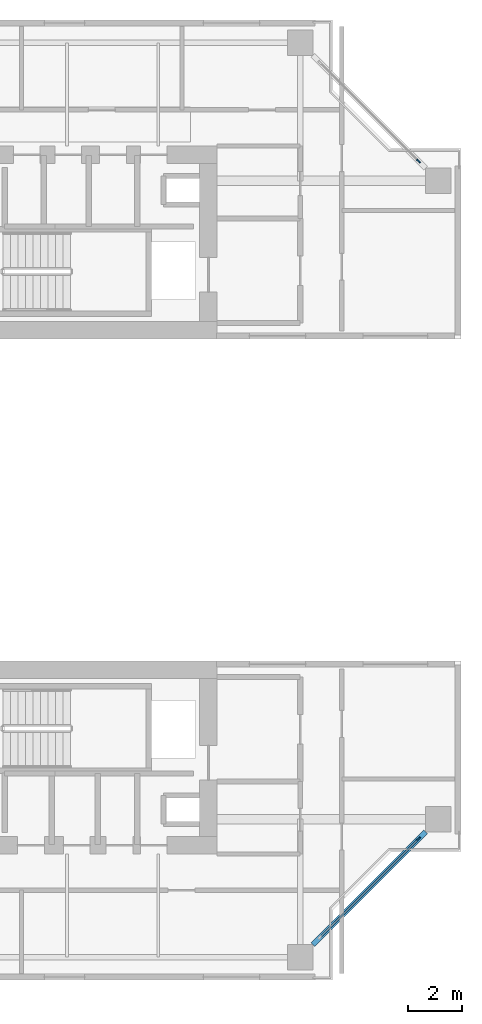
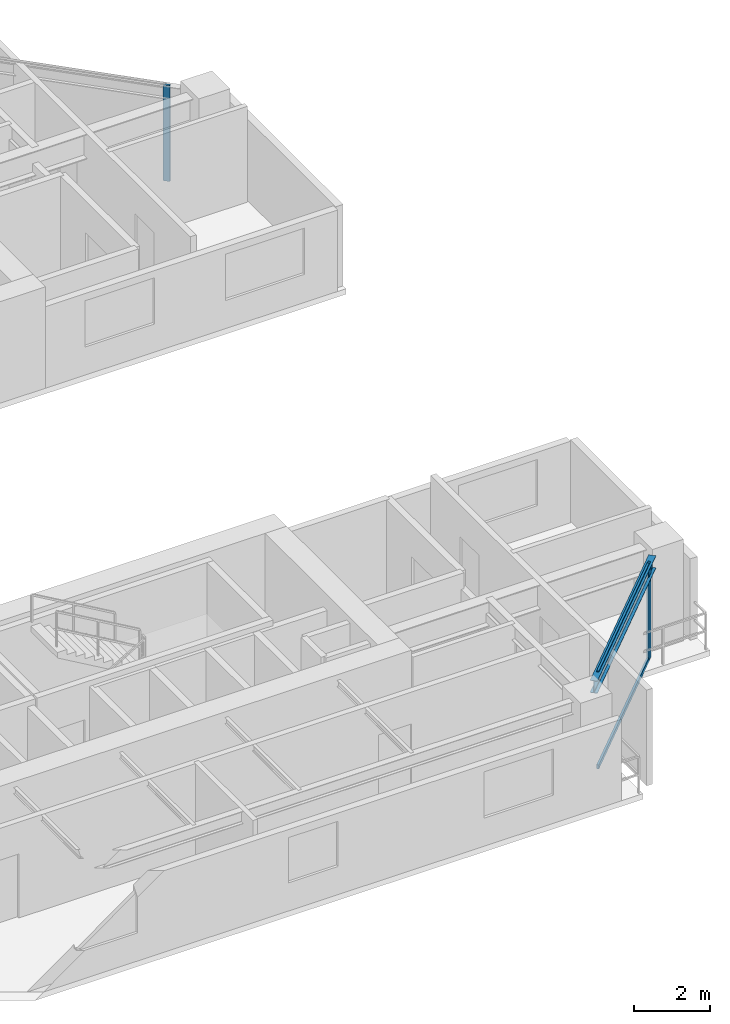
# One storey, part 4 of 12: 4 members, 1 beam, 2 elements without a shape of their own.
"""IFC4 building model written with IfcOpenShell, lengths in metres."""

from ifc_helpers import new_model, si_unit, direction, frame, origin, origin_2d, place, context, subcontext, project, spatial, rectangle, i_section, extrude, source, transform, mapped, material, layer, layer_set, material_profile, profile_set, type_object, element, aggregate, save


model = new_model("IFC4")

# Units and contexts
model_context = context("Model", 3, precision=1e-05, world=origin(), true_north=direction((0.0, 1.0)))
body_context = subcontext(model_context, "Body", "Model", "MODEL_VIEW")
ifc_project = project(units=[si_unit("LENGTHUNIT", "METRE"), si_unit("AREAUNIT", "SQUARE_METRE"), si_unit("VOLUMEUNIT", "CUBIC_METRE"), si_unit("PLANEANGLEUNIT", "RADIAN"), si_unit("MASSUNIT", "GRAM", prefix="KILO"), si_unit("THERMODYNAMICTEMPERATUREUNIT", "KELVIN"), si_unit("POWERUNIT", "WATT")], contexts=[model_context])

# Site, building, storey
site_placement = place(None, origin())
site = spatial("IfcSite", under=ifc_project, at=site_placement, CompositionType="ELEMENT")
building_placement = place(site_placement, origin())
building = spatial("IfcBuilding", under=site, at=building_placement, Name="Qiaomeng Ring Towers", CompositionType="ELEMENT")
storey_placement = place(building_placement, frame((0.0, 0.0, 163.25)))
storey = spatial("IfcBuildingStorey", under=building, at=storey_placement, Name="L47", CompositionType="ELEMENT", Elevation=163.25)

# Beam
ifc_material_1 = material(Name="Steel Q355B", Category="steel")
ifc_material_profile_1 = material_profile(ifc_material_1, i_section(OverallWidth=0.199951171875, OverallDepth=0.39990234375, WebThickness=0.008056640625, FlangeThickness=0.012939453125, FilletRadius=0.01611328125, at=origin_2d()), Name="HN 400x200x8x13")
ifc_profile_set_1 = profile_set([ifc_material_profile_1], Name="Steel Q355B")
beam_type = type_object("IfcBeamType", Name="STR-BM-HN400", PredefinedType="SPANDREL", material=ifc_profile_set_1)
shared_shape_1 = source(origin(), body_context, "Body", "SweptSolid", [
    extrude(i_section(OverallWidth=0.199951171875, OverallDepth=0.39990234375, WebThickness=0.008056640625, FlangeThickness=0.012939453125, FilletRadius=0.01611328125, at=origin_2d()), origin(), (0.0, 0.0, 1.0), 5.941650390625),
])
beam_placement = place(storey_placement, frame((31.374267578125, 6.42431640625, 2.8701171875), z_axis=(0.707106781187, 0.707106781187, 0.0), x_axis=(-0.707106781187, 0.707106781187, 0.0)))
element("IfcBeam", 1, at=beam_placement, inside=storey, type_object=beam_type, Name="L47 beam STR-SP-L47-T1-S2-E1", PredefinedType="SPANDREL", context=body_context, shape_type="MappedRepresentation", body=[
    mapped(shared_shape_1, transform((0.0, 0.0, 0.0), x_axis=(1.0, 0.0, 0.0), y_axis=(0.0, 1.0, 0.0), z_axis=(0.0, 0.0, 1.0), scale=1.0)),
])

# Curtain wall, member
ifc_material_2 = material(Name="Fluorocarbon dark-grey aluminium", Category="aluminium")
ifc_layer = layer(ifc_material_2, 0.14990234375, Name="Fluorocarbon dark-grey aluminium")
ifc_layer_set = layer_set([ifc_layer], Name="Fluorocarbon dark-grey aluminium")
curtain_wall_type = type_object("IfcCurtainWallType", Name="ARC-CW-3", PredefinedType="NOTDEFINED", material=ifc_layer_set)
curtain_wall_1_placement = place(storey_placement, origin())
curtain_wall_1 = element("IfcCurtainWall", 2, at=curtain_wall_1_placement, inside=storey, type_object=curtain_wall_type, Name="L47 Curtain Wall CW3", PredefinedType="NOTDEFINED")
ifc_material_profile_2 = material_profile(ifc_material_2, rectangle(XDim=0.070068359375, YDim=0.179931640625, at=origin_2d()), Name="ALU MULL 70x180")
ifc_profile_set_2 = profile_set([ifc_material_profile_2], Name="Fluorocarbon dark-grey aluminium")
member_type_1 = type_object("IfcMemberType", Name="ARC-CWM-160", PredefinedType="MULLION", material=ifc_profile_set_2)
shared_shape_2 = source(origin(), body_context, "Body", "SweptSolid", [
    extrude(rectangle(XDim=0.070068359375, YDim=0.179931640625, at=origin_2d()), origin(), (0.0, 0.0, 1.0), 3.070068359375),
])
member_1_placement = place(storey_placement, frame((35.310302734375, 10.3603515625, 0.0), z_axis=(0.0, 0.0, 1.0), x_axis=(-0.707106781187, 0.707106781187, 0.0)))
member_1 = element("IfcMember", 3, at=member_1_placement, type_object=member_type_1, Name="CW3 mullion 2", PredefinedType="MULLION", context=body_context, shape_type="MappedRepresentation", body=[
    mapped(shared_shape_2, transform((0.0, 0.0, 0.0), x_axis=(1.0, 0.0, 0.0), y_axis=(0.0, 1.0, 0.0), z_axis=(0.0, 0.0, 1.0), scale=1.0)),
])

curtain_wall_2_placement = place(storey_placement, origin())
curtain_wall_2 = element("IfcCurtainWall", 4, at=curtain_wall_2_placement, inside=storey, type_object=curtain_wall_type, Name="L47 Curtain Wall CW3", PredefinedType="NOTDEFINED")
member_2_placement = place(storey_placement, frame((35.310302734375, 35.6396484375, 0.0), z_axis=(0.0, 0.0, 1.0), x_axis=(-0.707106781187, -0.707106781187, 0.0)))
member_2 = element("IfcMember", 5, at=member_2_placement, type_object=member_type_1, Name="CW3 mullion 1", PredefinedType="MULLION", context=body_context, shape_type="MappedRepresentation", body=[
    mapped(shared_shape_2, transform((0.0, 0.0, 0.0), x_axis=(1.0, 0.0, 0.0), y_axis=(0.0, 1.0, 0.0), z_axis=(0.0, 0.0, 1.0), scale=1.0)),
])
aggregate(curtain_wall_2, [member_2])

# Member
ifc_material_profile_3 = material_profile(ifc_material_2, rectangle(XDim=0.06494140625, YDim=0.1298828125, at=origin_2d()), Name="ALU TRAN 65x130")
ifc_profile_set_3 = profile_set([ifc_material_profile_3], Name="Fluorocarbon dark-grey aluminium")
member_type_2 = type_object("IfcMemberType", Name="ARC-CWT-120", PredefinedType="USERDEFINED", material=ifc_profile_set_3)
shared_shape_3 = source(origin(), body_context, "Body", "SweptSolid", [
    extrude(rectangle(XDim=0.06494140625, YDim=0.1298828125, at=origin_2d()), origin(), (0.0, 0.0, 1.0), 5.12060546875),
])
member_3_placement = place(storey_placement, frame((31.66455078125, 6.714599609375, 0.032470703125), z_axis=(0.707106781187, 0.707106781187, 0.0), x_axis=(-0.707106781187, 0.707106781187, 0.0)))
member_3 = element("IfcMember", 6, at=member_3_placement, type_object=member_type_2, Name="CW3 transom 1.1", ObjectType="TRANSOM", PredefinedType="USERDEFINED", context=body_context, shape_type="MappedRepresentation", body=[
    mapped(shared_shape_3, transform((0.0, 0.0, 0.0), x_axis=(1.0, 0.0, 0.0), y_axis=(0.0, 1.0, 0.0), z_axis=(0.0, 0.0, 1.0), scale=1.0)),
])

member_4_placement = place(storey_placement, frame((31.66455078125, 6.714599609375, 3.03759765625), z_axis=(0.707106781187, 0.707106781187, 0.0), x_axis=(-0.707106781187, 0.707106781187, 0.0)))
member_4 = element("IfcMember", 7, at=member_4_placement, type_object=member_type_2, Name="CW3 transom 1.2", ObjectType="TRANSOM", PredefinedType="USERDEFINED", context=body_context, shape_type="MappedRepresentation", body=[
    mapped(shared_shape_3, transform((0.0, 0.0, 0.0), x_axis=(1.0, 0.0, 0.0), y_axis=(0.0, 1.0, 0.0), z_axis=(0.0, 0.0, 1.0), scale=1.0)),
])

aggregate(curtain_wall_1, [member_1, member_3, member_4])

save(model, "model.ifc")
